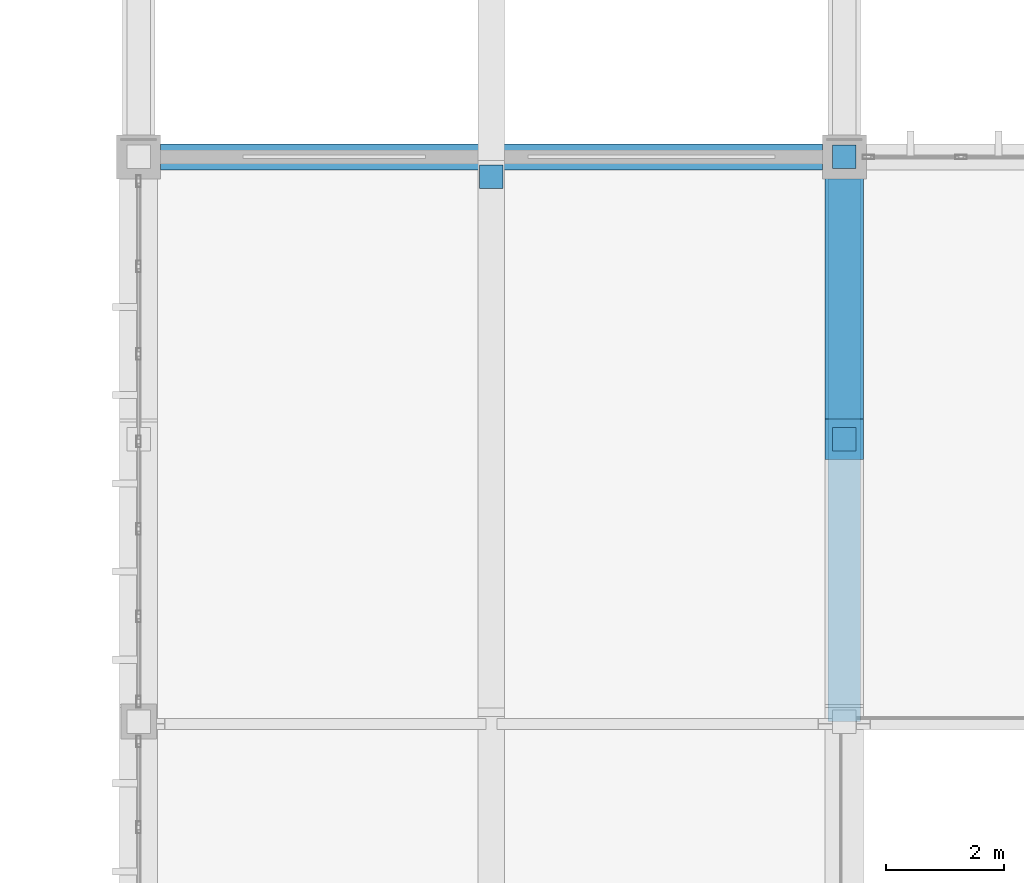
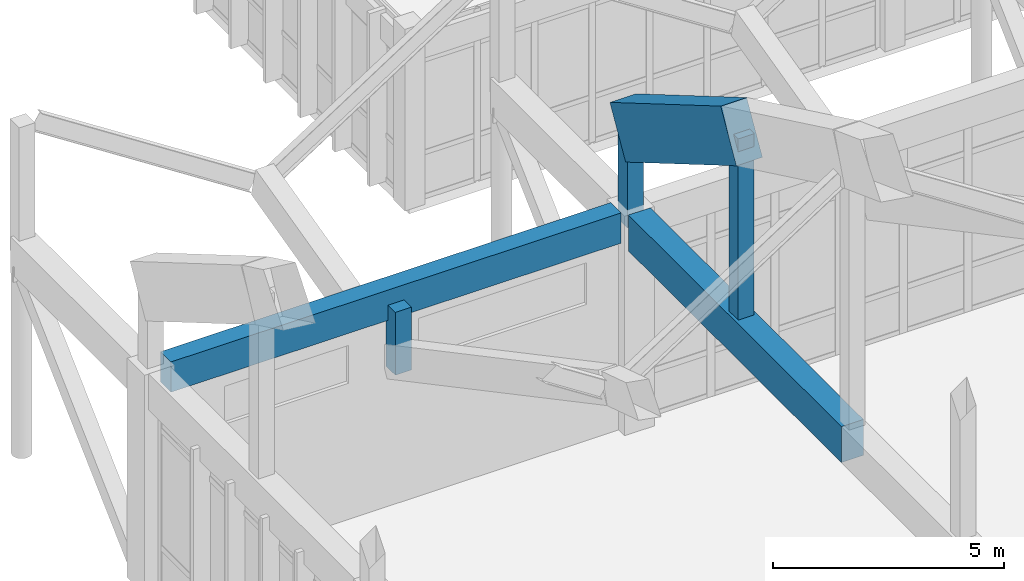
# One storey, part 71 of 236: 4 members, 2 beams.
"""IFC4 building model written with IfcOpenShell, lengths in metres."""

from ifc_helpers import new_model, si_unit, direction, frame, origin, origin_2d, place, context, subcontext, project, spatial, rectangle, extrude, material, material_profile, profile_set, type_object, element, save


model = new_model("IFC4")

# Units and contexts
model_context = context("Model", 3, precision=1e-05, world=origin(), true_north=direction((0.0, 1.0)))
body_context = subcontext(model_context, "Body", "Model", "MODEL_VIEW")
ifc_project = project(units=[si_unit("LENGTHUNIT", "METRE"), si_unit("AREAUNIT", "SQUARE_METRE"), si_unit("VOLUMEUNIT", "CUBIC_METRE"), si_unit("PLANEANGLEUNIT", "RADIAN"), si_unit("MASSUNIT", "GRAM", prefix="KILO")], contexts=[model_context])

# Site, building, storey
site_placement = place(None, origin())
site = spatial("IfcSite", under=ifc_project, at=site_placement, CompositionType="ELEMENT")
building_placement = place(site_placement, origin())
building = spatial("IfcBuilding", under=site, at=building_placement, Name="Pandanus Reach Market Hall", CompositionType="ELEMENT")
storey_placement = place(building_placement, frame((0.0, 0.0, 5.39990234375)))
storey = spatial("IfcBuildingStorey", under=building, at=storey_placement, Name="L01", CompositionType="ELEMENT", Elevation=5.39990234375)

# Members
ifc_material_1 = material(Name="Concrete N50 (50 MPa)", Category="concrete")
ifc_material_profile_1 = material_profile(ifc_material_1, rectangle(XDim=0.64990234375, YDim=1.35009765625, at=origin_2d()), Name="RC650x1350", Category="LoadBearing")
ifc_profile_set_1 = profile_set([ifc_material_profile_1], Name="Concrete N50 (50 MPa)")
member_type_1 = type_object("IfcMemberType", Name="AR-RC650-E", PredefinedType="CHORD", material=ifc_profile_set_1)
member_1_placement = place(storey_placement, frame((60.0, 81.60009765625, 10.59130859375), z_axis=(0.0, 0.862886095496, -0.505398443013), x_axis=(-1.0, 0.0, 0.0)))
element("IfcMember", 1, at=member_1_placement, inside=storey, type_object=member_type_1, Name="Parabolic arch top chord A2.12", PredefinedType="CHORD", context=body_context, shape_type="SweptSolid", body=[
    extrude(rectangle(XDim=0.64990234375, YDim=1.35009765625, at=origin_2d()), origin(), (0.0, 0.0, 1.0), 5.5625),
])
ifc_material_profile_2 = material_profile(ifc_material_1, rectangle(XDim=0.39990234375, YDim=0.39990234375, at=origin_2d()), Name="RC400x400", Category="LoadBearing")
ifc_profile_set_2 = profile_set([ifc_material_profile_2], Name="Concrete N50 (50 MPa)")
member_type_2 = type_object("IfcMemberType", Name="AR-WEB400-E", PredefinedType="STRUT", material=ifc_profile_set_2)
member_2_placement = place(storey_placement, frame((60.0, 86.39990234375, 5.3251953125), z_axis=(0.0, 0.0, 1.0), x_axis=(1.0, 0.0, 0.0)))
element("IfcMember", 2, at=member_2_placement, inside=storey, type_object=member_type_2, Name="Arch springing concrete strut A2.N", PredefinedType="STRUT", context=body_context, shape_type="SweptSolid", body=[
    extrude(rectangle(XDim=0.39990234375, YDim=0.39990234375, at=origin_2d()), origin(), (0.0, 0.0, 1.0), 2.454833984375),
])
member_3_placement = place(storey_placement, frame((60.0, 81.60009765625, 5.3251953125), z_axis=(0.0, 0.0, 1.0), x_axis=(1.0, 0.0, 0.0)))
element("IfcMember", 3, at=member_3_placement, inside=storey, type_object=member_type_2, Name="Arch truss vertical web strut A2.11", PredefinedType="STRUT", context=body_context, shape_type="SweptSolid", body=[
    extrude(rectangle(XDim=0.39990234375, YDim=0.39990234375, at=origin_2d()), origin(), (0.0, 0.0, 1.0), 5.26611328125),
])
member_4_placement = place(storey_placement, frame((54.0, 86.06005859375, 3.739990234375), z_axis=(0.0, 0.0, 1.0), x_axis=(1.0, 0.0, 0.0)))
element("IfcMember", 4, at=member_4_placement, inside=storey, type_object=member_type_2, Name="Butterfly north eave valley hanger B1N", PredefinedType="STRUT", context=body_context, shape_type="SweptSolid", body=[
    extrude(rectangle(XDim=0.39990234375, YDim=0.39990234375, at=origin_2d()), origin(), (0.0, 0.0, 1.0), 1.66015625),
])

# Beams
ifc_material_2 = material(Name="Concrete N40 (40 MPa)", Category="concrete")
ifc_material_profile_3 = material_profile(ifc_material_2, rectangle(XDim=0.449951171875, YDim=0.800048828125, at=origin_2d()), Name="RC450x800", Category="LoadBearing")
ifc_profile_set_3 = profile_set([ifc_material_profile_3], Name="Concrete N40 (40 MPa)")
beam_type_1 = type_object("IfcBeamType", Name="BM-RC450-E", PredefinedType="SPANDREL", material=ifc_profile_set_3)
beam_1_placement = place(storey_placement, frame((48.373046875, 86.39990234375, 5.400146484375), z_axis=(1.0, 0.0, 0.0), x_axis=(0.0, 1.0, 0.0)))
element("IfcBeam", 5, at=beam_1_placement, inside=storey, type_object=beam_type_1, Name="Framing beam BM-RC450-E L01.1145", PredefinedType="SPANDREL", context=body_context, shape_type="SweptSolid", body=[
    extrude(rectangle(XDim=0.449951171875, YDim=0.800048828125, at=origin_2d()), origin(), (0.0, 0.0, 1.0), 11.25390625),
])
ifc_material_profile_4 = material_profile(ifc_material_1, rectangle(XDim=0.550048828125, YDim=0.949951171875, at=origin_2d()), Name="RC550x950", Category="LoadBearing")
ifc_profile_set_4 = profile_set([ifc_material_profile_4], Name="Concrete N50 (50 MPa)")
beam_type_2 = type_object("IfcBeamType", Name="BM-RC550-I", PredefinedType="BEAM", material=ifc_profile_set_4)
beam_2_placement = place(storey_placement, frame((60.0, 76.800048828125, 5.3251953125), z_axis=(0.0, 1.0, 0.0), x_axis=(-1.0, 0.0, 0.0)))
element("IfcBeam", 6, at=beam_2_placement, inside=storey, type_object=beam_type_2, Name="Parabolic arch tie girder A2.6", PredefinedType="BEAM", context=body_context, shape_type="SweptSolid", body=[
    extrude(rectangle(XDim=0.550048828125, YDim=0.949951171875, at=origin_2d()), origin(), (0.0, 0.0, 1.0), 9.22705078125),
])

save(model, "model.ifc")
